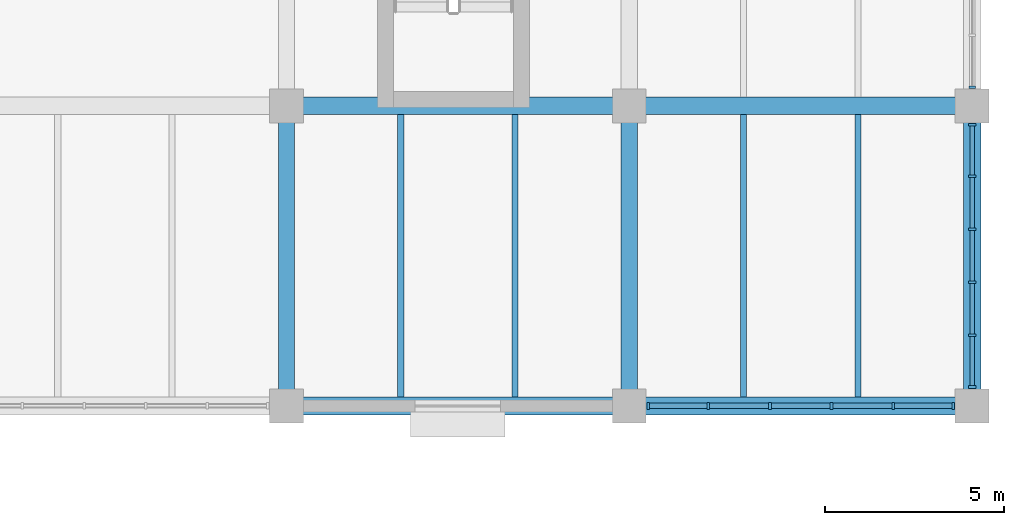
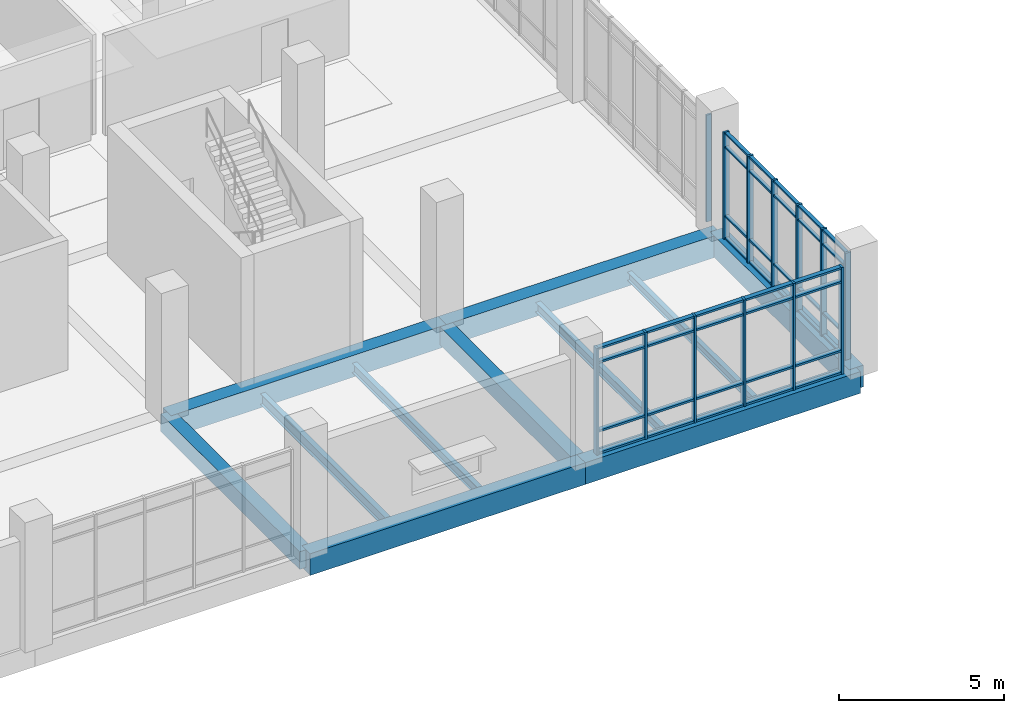
# One storey, part 75 of 152: 53 members, 11 beams, 3 elements without a shape of their own.
"""IFC4 building model written with IfcOpenShell, lengths in metres."""

from ifc_helpers import new_model, si_unit, direction, frame, origin, origin_2d, place, context, subcontext, project, spatial, rectangle, i_section, extrude, material, material_profile, profile_set, type_object, element, aggregate, save


model = new_model("IFC4")

# Units and contexts
model_context = context("Model", 3, precision=1e-05, world=origin(), true_north=direction((0.0, 1.0)))
body_context = subcontext(model_context, "Body", "Model", "MODEL_VIEW")
ifc_project = project(units=[si_unit("LENGTHUNIT", "METRE"), si_unit("AREAUNIT", "SQUARE_METRE"), si_unit("VOLUMEUNIT", "CUBIC_METRE"), si_unit("PLANEANGLEUNIT", "RADIAN"), si_unit("MASSUNIT", "GRAM", prefix="KILO")], contexts=[model_context])

# Site, building, storey
site_placement = place(None, origin())
site = spatial("IfcSite", under=ifc_project, at=site_placement, CompositionType="ELEMENT")
building_placement = place(site_placement, origin())
building = spatial("IfcBuilding", under=site, at=building_placement, Name="Oolite Switchyard Hospital", CompositionType="ELEMENT")
storey_placement = place(building_placement, frame((0.0, 0.0, 5.10009765625)))
storey = spatial("IfcBuildingStorey", under=building, at=storey_placement, Name="L01", CompositionType="ELEMENT", Elevation=5.10009765625)

# Beams
ifc_material_1 = material(Name="Concrete C40/50", Category="concrete")
ifc_material_profile_1 = material_profile(ifc_material_1, rectangle(XDim=0.449951171875, YDim=0.64990234375, at=origin_2d()), Name="RCB450X650")
ifc_profile_set_1 = profile_set([ifc_material_profile_1], Name="Concrete C40/50")
beam_type_1 = type_object("IfcBeamType", Name="BM-RC450X650", PredefinedType="BEAM", material=ifc_profile_set_1)
for number, where, z_axis, x_axis, name in (
    (1, (192.0, 100.800048828125, -0.3251953125), (0.0, 1.0, 0.0), (-1.0, 0.0, 0.0), "L01 Y-Girder 531"),
    (2, (201.60009765625, 100.800048828125, -0.3251953125), (0.0, 1.0, 0.0), (-1.0, 0.0, 0.0), "L01 Y-Girder 543"),
):
    element("IfcBeam", number, at=place(storey_placement, frame(where, z_axis=z_axis, x_axis=x_axis)), inside=storey, type_object=beam_type_1, Name=name, PredefinedType="BEAM", context=body_context, shape_type="SweptSolid", body=[
        extrude(rectangle(XDim=0.449951171875, YDim=0.64990234375, at=origin_2d()), origin(), (0.0, 0.0, 1.0), 8.39990234375),
    ])
ifc_material_profile_2 = material_profile(ifc_material_1, rectangle(XDim=0.5, YDim=0.800048828125, at=origin_2d()), Name="RCB500X800")
ifc_profile_set_2 = profile_set([ifc_material_profile_2], Name="Concrete C40/50")
beam_type_2 = type_object("IfcBeamType", Name="BM-RC500X800", PredefinedType="BEAM", material=ifc_profile_set_2)
beam_1_placement = place(storey_placement, frame((192.0, 100.800048828125, -0.400146484375), z_axis=(1.0, 0.0, 0.0), x_axis=(0.0, 1.0, 0.0)))
element("IfcBeam", 3, at=beam_1_placement, inside=storey, type_object=beam_type_2, Name="L01 X-Girder 217", PredefinedType="BEAM", context=body_context, shape_type="SweptSolid", body=[
    extrude(rectangle(XDim=0.5, YDim=0.800048828125, at=origin_2d()), origin(), (0.0, 0.0, 1.0), 9.60009765625),
])
beam_2_placement = place(storey_placement, frame((201.60009765625, 100.800048828125, -0.400146484375), z_axis=(1.0, 0.0, 0.0), x_axis=(0.0, 1.0, 0.0)))
element("IfcBeam", 4, at=beam_2_placement, inside=storey, type_object=beam_type_2, Name="L01 X-Girder 218", PredefinedType="BEAM", context=body_context, shape_type="SweptSolid", body=[
    extrude(rectangle(XDim=0.5, YDim=0.800048828125, at=origin_2d()), origin(), (0.0, 0.0, 1.0), 9.599853515625),
])
beam_3_placement = place(storey_placement, frame((192.0, 109.199951171875, -0.400146484375), z_axis=(1.0, 0.0, 0.0), x_axis=(0.0, 1.0, 0.0)))
element("IfcBeam", 5, at=beam_3_placement, inside=storey, type_object=beam_type_2, Name="L01 X-Girder 237", PredefinedType="BEAM", context=body_context, shape_type="SweptSolid", body=[
    extrude(rectangle(XDim=0.5, YDim=0.800048828125, at=origin_2d()), origin(), (0.0, 0.0, 1.0), 9.60009765625),
])
beam_4_placement = place(storey_placement, frame((201.60009765625, 109.199951171875, -0.400146484375), z_axis=(1.0, 0.0, 0.0), x_axis=(0.0, 1.0, 0.0)))
element("IfcBeam", 6, at=beam_4_placement, inside=storey, type_object=beam_type_2, Name="L01 X-Girder 238", PredefinedType="BEAM", context=body_context, shape_type="SweptSolid", body=[
    extrude(rectangle(XDim=0.5, YDim=0.800048828125, at=origin_2d()), origin(), (0.0, 0.0, 1.0), 9.599853515625),
])
beam_5_placement = place(storey_placement, frame((211.199951171875, 100.800048828125, -0.400146484375), z_axis=(0.0, 1.0, 0.0), x_axis=(-1.0, 0.0, 0.0)))
element("IfcBeam", 7, at=beam_5_placement, inside=storey, type_object=beam_type_2, Name="L01 Y-Girder 559", PredefinedType="BEAM", context=body_context, shape_type="SweptSolid", body=[
    extrude(rectangle(XDim=0.5, YDim=0.800048828125, at=origin_2d()), origin(), (0.0, 0.0, 1.0), 8.39990234375),
])
ifc_material_2 = material(Name="Steel ASTM A992 Grade 50", Category="steel")
ifc_material_profile_3 = material_profile(ifc_material_2, i_section(OverallWidth=0.1650390625, OverallDepth=0.31005859375, WebThickness=0.006103515625, FlangeThickness=0.010009765625, at=origin_2d()), Name="W12X26")
ifc_profile_set_3 = profile_set([ifc_material_profile_3], Name="Steel ASTM A992 Grade 50")
beam_type_3 = type_object("IfcBeamType", Name="BM-W12X26", PredefinedType="JOIST", material=ifc_profile_set_3)
beam_6_placement = place(storey_placement, frame((208.0, 101.050048828125, -0.43017578125), z_axis=(0.0, 1.0, 0.0), x_axis=(-1.0, 0.0, 0.0)))
element("IfcBeam", 8, at=beam_6_placement, inside=storey, type_object=beam_type_3, Name="L01 Secondary Steel Joist 983", PredefinedType="JOIST", context=body_context, shape_type="SweptSolid", body=[
    extrude(i_section(OverallWidth=0.1650390625, OverallDepth=0.31005859375, WebThickness=0.006103515625, FlangeThickness=0.010009765625, at=origin_2d()), origin(), (0.0, 0.0, 1.0), 7.89990234375),
])
ifc_material_profile_4 = material_profile(ifc_material_2, i_section(OverallWidth=0.1708984375, OverallDepth=0.35107421875, WebThickness=0.007080078125, FlangeThickness=0.010009765625, at=origin_2d()), Name="W14X30")
ifc_profile_set_4 = profile_set([ifc_material_profile_4], Name="Steel ASTM A992 Grade 50")
beam_type_4 = type_object("IfcBeamType", Name="BM-W14X30", PredefinedType="JOIST", material=ifc_profile_set_4)
for number, where, z_axis, x_axis, name in (
    (9, (198.39990234375, 101.050048828125, -0.4501953125), (0.0, 1.0, 0.0), (-1.0, 0.0, 0.0), "L01 Secondary Steel Joist 967"),
    (10, (204.800048828125, 101.050048828125, -0.4501953125), (0.0, 1.0, 0.0), (-1.0, 0.0, 0.0), "L01 Secondary Steel Joist 982"),
):
    element("IfcBeam", number, at=place(storey_placement, frame(where, z_axis=z_axis, x_axis=x_axis)), inside=storey, type_object=beam_type_4, Name=name, PredefinedType="JOIST", context=body_context, shape_type="SweptSolid", body=[
        extrude(i_section(OverallWidth=0.1708984375, OverallDepth=0.35107421875, WebThickness=0.007080078125, FlangeThickness=0.010009765625, at=origin_2d()), origin(), (0.0, 0.0, 1.0), 7.89990234375),
    ])
ifc_material_profile_5 = material_profile(ifc_material_2, i_section(OverallWidth=0.177978515625, OverallDepth=0.403076171875, WebThickness=0.008056640625, FlangeThickness=0.010986328125, at=origin_2d()), Name="W16X36")
ifc_profile_set_5 = profile_set([ifc_material_profile_5], Name="Steel ASTM A992 Grade 50")
beam_type_5 = type_object("IfcBeamType", Name="BM-W16X36", PredefinedType="JOIST", material=ifc_profile_set_5)
beam_7_placement = place(storey_placement, frame((195.199951171875, 101.050048828125, -0.47705078125), z_axis=(0.0, 1.0, 0.0), x_axis=(-1.0, 0.0, 0.0)))
element("IfcBeam", 11, at=beam_7_placement, inside=storey, type_object=beam_type_5, Name="L01 Secondary Steel Joist 966", PredefinedType="JOIST", context=body_context, shape_type="SweptSolid", body=[
    extrude(i_section(OverallWidth=0.177978515625, OverallDepth=0.403076171875, WebThickness=0.008056640625, FlangeThickness=0.010986328125, at=origin_2d()), origin(), (0.0, 0.0, 1.0), 7.89990234375),
])

# Curtain wall, member
ifc_material_3 = material(Name="Thermally broken aluminum frame with laminated impact glazing", Category="aluminium")
curtain_wall_type_1 = type_object("IfcCurtainWallType", Name="CW-UNIT-84X48", PredefinedType="USERDEFINED", material=ifc_material_3)
curtain_wall_1_placement = place(storey_placement, origin())
curtain_wall_1 = element("IfcCurtainWall", 12, at=curtain_wall_1_placement, inside=storey, type_object=curtain_wall_type_1, Name="L01 Unitised Curtain Wall 207", ObjectType="UNITISED", PredefinedType="USERDEFINED")
ifc_material_4 = material(Name="Aluminium 6063-T6", Category="aluminium")
ifc_material_profile_6 = material_profile(ifc_material_4, rectangle(XDim=0.179931640625, YDim=0.070068359375, at=origin_2d()), Name="CWM70X180")
ifc_profile_set_6 = profile_set([ifc_material_profile_6], Name="Aluminium 6063-T6")
member_type_1 = type_object("IfcMemberType", Name="CW-MUL-220", PredefinedType="MULLION", material=ifc_profile_set_6)
member_1_placement = place(storey_placement, frame((211.199951171875, 109.72509765625, 0.0), z_axis=(0.0, 0.0, 1.0), x_axis=(1.0, 0.0, 0.0)))
member_1 = element("IfcMember", 13, at=member_1_placement, type_object=member_type_1, Name="CW-07 mullion 6", PredefinedType="MULLION", context=body_context, shape_type="SweptSolid", body=[
    extrude(rectangle(XDim=0.179931640625, YDim=0.070068359375, at=origin_2d()), origin(), (0.0, 0.0, 1.0), 3.93994140625),
])
aggregate(curtain_wall_1, [member_1])

# Curtain wall, members
curtain_wall_type_2 = type_object("IfcCurtainWallType", Name="CW-UNIT-96X48", PredefinedType="USERDEFINED", material=ifc_material_3)
curtain_wall_2_placement = place(storey_placement, origin())
curtain_wall_2 = element("IfcCurtainWall", 14, at=curtain_wall_2_placement, inside=storey, type_object=curtain_wall_type_2, Name="L01 Unitised Curtain Wall 145", ObjectType="UNITISED", PredefinedType="USERDEFINED")
ifc_material_profile_7 = material_profile(ifc_material_4, rectangle(XDim=0.199951171875, YDim=0.074951171875, at=origin_2d()), Name="CWM75X200")
ifc_profile_set_7 = profile_set([ifc_material_profile_7], Name="Aluminium 6063-T6")
member_type_2 = type_object("IfcMemberType", Name="CW-MUL-260", PredefinedType="MULLION", material=ifc_profile_set_7)
member_2_placement = place(storey_placement, frame((210.672607421875, 100.800048828125, 0.0), z_axis=(0.0, 0.0, 1.0), x_axis=(0.0, -1.0, 0.0)))
member_2 = element("IfcMember", 15, at=member_2_placement, type_object=member_type_2, Name="CW-02 mullion 1", PredefinedType="MULLION", context=body_context, shape_type="SweptSolid", body=[
    extrude(rectangle(XDim=0.199951171875, YDim=0.074951171875, at=origin_2d()), origin(), (0.0, 0.0, 1.0), 3.93994140625),
])
member_3_placement = place(storey_placement, frame((208.986083984375, 100.800048828125, 0.0), z_axis=(0.0, 0.0, 1.0), x_axis=(0.0, -1.0, 0.0)))
member_3 = element("IfcMember", 16, at=member_3_placement, type_object=member_type_2, Name="CW-02 mullion 2", PredefinedType="MULLION", context=body_context, shape_type="SweptSolid", body=[
    extrude(rectangle(XDim=0.199951171875, YDim=0.074951171875, at=origin_2d()), origin(), (0.0, 0.0, 1.0), 3.93994140625),
])
member_4_placement = place(storey_placement, frame((207.261962890625, 100.800048828125, 0.0), z_axis=(0.0, 0.0, 1.0), x_axis=(0.0, -1.0, 0.0)))
member_4 = element("IfcMember", 17, at=member_4_placement, type_object=member_type_2, Name="CW-02 mullion 3", PredefinedType="MULLION", context=body_context, shape_type="SweptSolid", body=[
    extrude(rectangle(XDim=0.199951171875, YDim=0.074951171875, at=origin_2d()), origin(), (0.0, 0.0, 1.0), 3.93994140625),
])
member_5_placement = place(storey_placement, frame((205.5380859375, 100.800048828125, 0.0), z_axis=(0.0, 0.0, 1.0), x_axis=(0.0, -1.0, 0.0)))
member_5 = element("IfcMember", 18, at=member_5_placement, type_object=member_type_2, Name="CW-02 mullion 4", PredefinedType="MULLION", context=body_context, shape_type="SweptSolid", body=[
    extrude(rectangle(XDim=0.199951171875, YDim=0.074951171875, at=origin_2d()), origin(), (0.0, 0.0, 1.0), 3.93994140625),
])
member_6_placement = place(storey_placement, frame((203.81396484375, 100.800048828125, 0.0), z_axis=(0.0, 0.0, 1.0), x_axis=(0.0, -1.0, 0.0)))
member_6 = element("IfcMember", 19, at=member_6_placement, type_object=member_type_2, Name="CW-02 mullion 5", PredefinedType="MULLION", context=body_context, shape_type="SweptSolid", body=[
    extrude(rectangle(XDim=0.199951171875, YDim=0.074951171875, at=origin_2d()), origin(), (0.0, 0.0, 1.0), 3.93994140625),
])
member_7_placement = place(storey_placement, frame((202.12744140625, 100.800048828125, 0.0), z_axis=(0.0, 0.0, 1.0), x_axis=(0.0, -1.0, 0.0)))
member_7 = element("IfcMember", 20, at=member_7_placement, type_object=member_type_2, Name="CW-02 mullion 6", PredefinedType="MULLION", context=body_context, shape_type="SweptSolid", body=[
    extrude(rectangle(XDim=0.199951171875, YDim=0.074951171875, at=origin_2d()), origin(), (0.0, 0.0, 1.0), 3.93994140625),
])

curtain_wall_3_placement = place(storey_placement, origin())
curtain_wall_3 = element("IfcCurtainWall", 21, at=curtain_wall_3_placement, inside=storey, type_object=curtain_wall_type_1, Name="L01 Unitised Curtain Wall 208", ObjectType="UNITISED", PredefinedType="USERDEFINED")
member_8_placement = place(storey_placement, frame((211.199951171875, 108.672607421875, 0.0), z_axis=(0.0, 0.0, 1.0), x_axis=(1.0, 0.0, 0.0)))
member_8 = element("IfcMember", 22, at=member_8_placement, type_object=member_type_2, Name="CW-07 mullion 1", PredefinedType="MULLION", context=body_context, shape_type="SweptSolid", body=[
    extrude(rectangle(XDim=0.199951171875, YDim=0.074951171875, at=origin_2d()), origin(), (0.0, 0.0, 1.0), 3.93994140625),
])
member_9_placement = place(storey_placement, frame((211.199951171875, 107.22607421875, 0.0), z_axis=(0.0, 0.0, 1.0), x_axis=(1.0, 0.0, 0.0)))
member_9 = element("IfcMember", 23, at=member_9_placement, type_object=member_type_2, Name="CW-07 mullion 2", PredefinedType="MULLION", context=body_context, shape_type="SweptSolid", body=[
    extrude(rectangle(XDim=0.199951171875, YDim=0.074951171875, at=origin_2d()), origin(), (0.0, 0.0, 1.0), 3.93994140625),
])
member_10_placement = place(storey_placement, frame((211.199951171875, 105.741943359375, 0.0), z_axis=(0.0, 0.0, 1.0), x_axis=(1.0, 0.0, 0.0)))
member_10 = element("IfcMember", 24, at=member_10_placement, type_object=member_type_2, Name="CW-07 mullion 3", PredefinedType="MULLION", context=body_context, shape_type="SweptSolid", body=[
    extrude(rectangle(XDim=0.199951171875, YDim=0.074951171875, at=origin_2d()), origin(), (0.0, 0.0, 1.0), 3.93994140625),
])
member_11_placement = place(storey_placement, frame((211.199951171875, 104.258056640625, 0.0), z_axis=(0.0, 0.0, 1.0), x_axis=(1.0, 0.0, 0.0)))
member_11 = element("IfcMember", 25, at=member_11_placement, type_object=member_type_2, Name="CW-07 mullion 4", PredefinedType="MULLION", context=body_context, shape_type="SweptSolid", body=[
    extrude(rectangle(XDim=0.199951171875, YDim=0.074951171875, at=origin_2d()), origin(), (0.0, 0.0, 1.0), 3.93994140625),
])
member_12_placement = place(storey_placement, frame((211.199951171875, 102.77392578125, 0.0), z_axis=(0.0, 0.0, 1.0), x_axis=(1.0, 0.0, 0.0)))
member_12 = element("IfcMember", 26, at=member_12_placement, type_object=member_type_2, Name="CW-07 mullion 5", PredefinedType="MULLION", context=body_context, shape_type="SweptSolid", body=[
    extrude(rectangle(XDim=0.199951171875, YDim=0.074951171875, at=origin_2d()), origin(), (0.0, 0.0, 1.0), 3.93994140625),
])
member_13_placement = place(storey_placement, frame((211.199951171875, 101.327392578125, 0.0), z_axis=(0.0, 0.0, 1.0), x_axis=(1.0, 0.0, 0.0)))
member_13 = element("IfcMember", 27, at=member_13_placement, type_object=member_type_2, Name="CW-07 mullion 6", PredefinedType="MULLION", context=body_context, shape_type="SweptSolid", body=[
    extrude(rectangle(XDim=0.199951171875, YDim=0.074951171875, at=origin_2d()), origin(), (0.0, 0.0, 1.0), 3.93994140625),
])
ifc_material_profile_8 = material_profile(ifc_material_4, rectangle(XDim=0.1201171875, YDim=0.06005859375, at=origin_2d()), Name="CWT60X120")
ifc_profile_set_8 = profile_set([ifc_material_profile_8], Name="Aluminium 6063-T6")
member_type_3 = type_object("IfcMemberType", Name="CW-TRN-150", PredefinedType="USERDEFINED", material=ifc_profile_set_8)
member_14_placement = place(storey_placement, frame((211.199951171875, 108.635009765625, 0.02978515625), z_axis=(0.0, -1.0, 0.0), x_axis=(1.0, 0.0, 0.0)))
member_14 = element("IfcMember", 28, at=member_14_placement, type_object=member_type_3, Name="CW-07 transom 1.1", ObjectType="TRANSOM", PredefinedType="USERDEFINED", context=body_context, shape_type="SweptSolid", body=[
    extrude(rectangle(XDim=0.1201171875, YDim=0.06005859375, at=origin_2d()), origin(), (0.0, 0.0, 1.0), 1.37158203125),
])
member_15_placement = place(storey_placement, frame((211.199951171875, 108.635009765625, 0.849853515625), z_axis=(0.0, -1.0, 0.0), x_axis=(1.0, 0.0, 0.0)))
member_15 = element("IfcMember", 29, at=member_15_placement, type_object=member_type_3, Name="CW-07 transom 1.2", ObjectType="TRANSOM", PredefinedType="USERDEFINED", context=body_context, shape_type="SweptSolid", body=[
    extrude(rectangle(XDim=0.1201171875, YDim=0.06005859375, at=origin_2d()), origin(), (0.0, 0.0, 1.0), 1.37158203125),
])
member_16_placement = place(storey_placement, frame((211.199951171875, 108.635009765625, 3.389892578125), z_axis=(0.0, -1.0, 0.0), x_axis=(1.0, 0.0, 0.0)))
member_16 = element("IfcMember", 30, at=member_16_placement, type_object=member_type_3, Name="CW-07 transom 1.3", ObjectType="TRANSOM", PredefinedType="USERDEFINED", context=body_context, shape_type="SweptSolid", body=[
    extrude(rectangle(XDim=0.1201171875, YDim=0.06005859375, at=origin_2d()), origin(), (0.0, 0.0, 1.0), 1.37158203125),
])
member_17_placement = place(storey_placement, frame((211.199951171875, 108.635009765625, 3.909912109375), z_axis=(0.0, -1.0, 0.0), x_axis=(1.0, 0.0, 0.0)))
member_17 = element("IfcMember", 31, at=member_17_placement, type_object=member_type_3, Name="CW-07 transom 1.4", ObjectType="TRANSOM", PredefinedType="USERDEFINED", context=body_context, shape_type="SweptSolid", body=[
    extrude(rectangle(XDim=0.1201171875, YDim=0.06005859375, at=origin_2d()), origin(), (0.0, 0.0, 1.0), 1.37158203125),
])
member_18_placement = place(storey_placement, frame((211.199951171875, 107.1884765625, 0.02978515625), z_axis=(0.0, -1.0, 0.0), x_axis=(1.0, 0.0, 0.0)))
member_18 = element("IfcMember", 32, at=member_18_placement, type_object=member_type_3, Name="CW-07 transom 2.1", ObjectType="TRANSOM", PredefinedType="USERDEFINED", context=body_context, shape_type="SweptSolid", body=[
    extrude(rectangle(XDim=0.1201171875, YDim=0.06005859375, at=origin_2d()), origin(), (0.0, 0.0, 1.0), 1.408935546875),
])
member_19_placement = place(storey_placement, frame((211.199951171875, 107.1884765625, 0.849853515625), z_axis=(0.0, -1.0, 0.0), x_axis=(1.0, 0.0, 0.0)))
member_19 = element("IfcMember", 33, at=member_19_placement, type_object=member_type_3, Name="CW-07 transom 2.2", ObjectType="TRANSOM", PredefinedType="USERDEFINED", context=body_context, shape_type="SweptSolid", body=[
    extrude(rectangle(XDim=0.1201171875, YDim=0.06005859375, at=origin_2d()), origin(), (0.0, 0.0, 1.0), 1.408935546875),
])
member_20_placement = place(storey_placement, frame((211.199951171875, 107.1884765625, 3.389892578125), z_axis=(0.0, -1.0, 0.0), x_axis=(1.0, 0.0, 0.0)))
member_20 = element("IfcMember", 34, at=member_20_placement, type_object=member_type_3, Name="CW-07 transom 2.3", ObjectType="TRANSOM", PredefinedType="USERDEFINED", context=body_context, shape_type="SweptSolid", body=[
    extrude(rectangle(XDim=0.1201171875, YDim=0.06005859375, at=origin_2d()), origin(), (0.0, 0.0, 1.0), 1.408935546875),
])
member_21_placement = place(storey_placement, frame((211.199951171875, 107.1884765625, 3.909912109375), z_axis=(0.0, -1.0, 0.0), x_axis=(1.0, 0.0, 0.0)))
member_21 = element("IfcMember", 35, at=member_21_placement, type_object=member_type_3, Name="CW-07 transom 2.4", ObjectType="TRANSOM", PredefinedType="USERDEFINED", context=body_context, shape_type="SweptSolid", body=[
    extrude(rectangle(XDim=0.1201171875, YDim=0.06005859375, at=origin_2d()), origin(), (0.0, 0.0, 1.0), 1.408935546875),
])
member_22_placement = place(storey_placement, frame((211.199951171875, 105.70458984375, 0.02978515625), z_axis=(0.0, -1.0, 0.0), x_axis=(1.0, 0.0, 0.0)))
member_22 = element("IfcMember", 36, at=member_22_placement, type_object=member_type_3, Name="CW-07 transom 3.1", ObjectType="TRANSOM", PredefinedType="USERDEFINED", context=body_context, shape_type="SweptSolid", body=[
    extrude(rectangle(XDim=0.1201171875, YDim=0.06005859375, at=origin_2d()), origin(), (0.0, 0.0, 1.0), 1.4091796875),
])
member_23_placement = place(storey_placement, frame((211.199951171875, 105.70458984375, 0.849853515625), z_axis=(0.0, -1.0, 0.0), x_axis=(1.0, 0.0, 0.0)))
member_23 = element("IfcMember", 37, at=member_23_placement, type_object=member_type_3, Name="CW-07 transom 3.2", ObjectType="TRANSOM", PredefinedType="USERDEFINED", context=body_context, shape_type="SweptSolid", body=[
    extrude(rectangle(XDim=0.1201171875, YDim=0.06005859375, at=origin_2d()), origin(), (0.0, 0.0, 1.0), 1.4091796875),
])
member_24_placement = place(storey_placement, frame((211.199951171875, 105.70458984375, 3.389892578125), z_axis=(0.0, -1.0, 0.0), x_axis=(1.0, 0.0, 0.0)))
member_24 = element("IfcMember", 38, at=member_24_placement, type_object=member_type_3, Name="CW-07 transom 3.3", ObjectType="TRANSOM", PredefinedType="USERDEFINED", context=body_context, shape_type="SweptSolid", body=[
    extrude(rectangle(XDim=0.1201171875, YDim=0.06005859375, at=origin_2d()), origin(), (0.0, 0.0, 1.0), 1.4091796875),
])
member_25_placement = place(storey_placement, frame((211.199951171875, 105.70458984375, 3.909912109375), z_axis=(0.0, -1.0, 0.0), x_axis=(1.0, 0.0, 0.0)))
member_25 = element("IfcMember", 39, at=member_25_placement, type_object=member_type_3, Name="CW-07 transom 3.4", ObjectType="TRANSOM", PredefinedType="USERDEFINED", context=body_context, shape_type="SweptSolid", body=[
    extrude(rectangle(XDim=0.1201171875, YDim=0.06005859375, at=origin_2d()), origin(), (0.0, 0.0, 1.0), 1.4091796875),
])
member_26_placement = place(storey_placement, frame((211.199951171875, 104.220458984375, 0.02978515625), z_axis=(0.0, -1.0, 0.0), x_axis=(1.0, 0.0, 0.0)))
member_26 = element("IfcMember", 40, at=member_26_placement, type_object=member_type_3, Name="CW-07 transom 4.1", ObjectType="TRANSOM", PredefinedType="USERDEFINED", context=body_context, shape_type="SweptSolid", body=[
    extrude(rectangle(XDim=0.1201171875, YDim=0.06005859375, at=origin_2d()), origin(), (0.0, 0.0, 1.0), 1.408935546875),
])
member_27_placement = place(storey_placement, frame((211.199951171875, 104.220458984375, 0.849853515625), z_axis=(0.0, -1.0, 0.0), x_axis=(1.0, 0.0, 0.0)))
member_27 = element("IfcMember", 41, at=member_27_placement, type_object=member_type_3, Name="CW-07 transom 4.2", ObjectType="TRANSOM", PredefinedType="USERDEFINED", context=body_context, shape_type="SweptSolid", body=[
    extrude(rectangle(XDim=0.1201171875, YDim=0.06005859375, at=origin_2d()), origin(), (0.0, 0.0, 1.0), 1.408935546875),
])
member_28_placement = place(storey_placement, frame((211.199951171875, 104.220458984375, 3.389892578125), z_axis=(0.0, -1.0, 0.0), x_axis=(1.0, 0.0, 0.0)))
member_28 = element("IfcMember", 42, at=member_28_placement, type_object=member_type_3, Name="CW-07 transom 4.3", ObjectType="TRANSOM", PredefinedType="USERDEFINED", context=body_context, shape_type="SweptSolid", body=[
    extrude(rectangle(XDim=0.1201171875, YDim=0.06005859375, at=origin_2d()), origin(), (0.0, 0.0, 1.0), 1.408935546875),
])
member_29_placement = place(storey_placement, frame((211.199951171875, 104.220458984375, 3.909912109375), z_axis=(0.0, -1.0, 0.0), x_axis=(1.0, 0.0, 0.0)))
member_29 = element("IfcMember", 43, at=member_29_placement, type_object=member_type_3, Name="CW-07 transom 4.4", ObjectType="TRANSOM", PredefinedType="USERDEFINED", context=body_context, shape_type="SweptSolid", body=[
    extrude(rectangle(XDim=0.1201171875, YDim=0.06005859375, at=origin_2d()), origin(), (0.0, 0.0, 1.0), 1.408935546875),
])
member_30_placement = place(storey_placement, frame((211.199951171875, 102.736572265625, 0.02978515625), z_axis=(0.0, -1.0, 0.0), x_axis=(1.0, 0.0, 0.0)))
member_30 = element("IfcMember", 44, at=member_30_placement, type_object=member_type_3, Name="CW-07 transom 5.1", ObjectType="TRANSOM", PredefinedType="USERDEFINED", context=body_context, shape_type="SweptSolid", body=[
    extrude(rectangle(XDim=0.1201171875, YDim=0.06005859375, at=origin_2d()), origin(), (0.0, 0.0, 1.0), 1.37158203125),
])
member_31_placement = place(storey_placement, frame((211.199951171875, 102.736572265625, 0.849853515625), z_axis=(0.0, -1.0, 0.0), x_axis=(1.0, 0.0, 0.0)))
member_31 = element("IfcMember", 45, at=member_31_placement, type_object=member_type_3, Name="CW-07 transom 5.2", ObjectType="TRANSOM", PredefinedType="USERDEFINED", context=body_context, shape_type="SweptSolid", body=[
    extrude(rectangle(XDim=0.1201171875, YDim=0.06005859375, at=origin_2d()), origin(), (0.0, 0.0, 1.0), 1.37158203125),
])
member_32_placement = place(storey_placement, frame((211.199951171875, 102.736572265625, 3.389892578125), z_axis=(0.0, -1.0, 0.0), x_axis=(1.0, 0.0, 0.0)))
member_32 = element("IfcMember", 46, at=member_32_placement, type_object=member_type_3, Name="CW-07 transom 5.3", ObjectType="TRANSOM", PredefinedType="USERDEFINED", context=body_context, shape_type="SweptSolid", body=[
    extrude(rectangle(XDim=0.1201171875, YDim=0.06005859375, at=origin_2d()), origin(), (0.0, 0.0, 1.0), 1.37158203125),
])
member_33_placement = place(storey_placement, frame((211.199951171875, 102.736572265625, 3.909912109375), z_axis=(0.0, -1.0, 0.0), x_axis=(1.0, 0.0, 0.0)))
member_33 = element("IfcMember", 47, at=member_33_placement, type_object=member_type_3, Name="CW-07 transom 5.4", ObjectType="TRANSOM", PredefinedType="USERDEFINED", context=body_context, shape_type="SweptSolid", body=[
    extrude(rectangle(XDim=0.1201171875, YDim=0.06005859375, at=origin_2d()), origin(), (0.0, 0.0, 1.0), 1.37158203125),
])
aggregate(curtain_wall_3, [member_8, member_9, member_10, member_11, member_12, member_13, member_14, member_15, member_16, member_17, member_18, member_19, member_20, member_21, member_22, member_23, member_24, member_25, member_26, member_27, member_28, member_29, member_30, member_31, member_32, member_33])

# Member
ifc_material_profile_9 = material_profile(ifc_material_4, rectangle(XDim=0.159912109375, YDim=0.074951171875, at=origin_2d()), Name="CWT75X160")
ifc_profile_set_9 = profile_set([ifc_material_profile_9], Name="Aluminium 6063-T6")
member_type_4 = type_object("IfcMemberType", Name="CW-TRN-180", PredefinedType="USERDEFINED", material=ifc_profile_set_9)
member_34_placement = place(storey_placement, frame((210.635009765625, 100.800048828125, 0.037353515625), z_axis=(-1.0, 0.0, 0.0), x_axis=(0.0, -1.0, 0.0)))
member_34 = element("IfcMember", 48, at=member_34_placement, type_object=member_type_4, Name="CW-02 transom 1.1", ObjectType="TRANSOM", PredefinedType="USERDEFINED", context=body_context, shape_type="SweptSolid", body=[
    extrude(rectangle(XDim=0.159912109375, YDim=0.074951171875, at=origin_2d()), origin(), (0.0, 0.0, 1.0), 1.611572265625),
])

member_35_placement = place(storey_placement, frame((210.635009765625, 100.800048828125, 0.849853515625), z_axis=(-1.0, 0.0, 0.0), x_axis=(0.0, -1.0, 0.0)))
member_35 = element("IfcMember", 49, at=member_35_placement, type_object=member_type_4, Name="CW-02 transom 1.2", ObjectType="TRANSOM", PredefinedType="USERDEFINED", context=body_context, shape_type="SweptSolid", body=[
    extrude(rectangle(XDim=0.159912109375, YDim=0.074951171875, at=origin_2d()), origin(), (0.0, 0.0, 1.0), 1.611572265625),
])

member_36_placement = place(storey_placement, frame((210.635009765625, 100.800048828125, 3.389892578125), z_axis=(-1.0, 0.0, 0.0), x_axis=(0.0, -1.0, 0.0)))
member_36 = element("IfcMember", 50, at=member_36_placement, type_object=member_type_4, Name="CW-02 transom 1.3", ObjectType="TRANSOM", PredefinedType="USERDEFINED", context=body_context, shape_type="SweptSolid", body=[
    extrude(rectangle(XDim=0.159912109375, YDim=0.074951171875, at=origin_2d()), origin(), (0.0, 0.0, 1.0), 1.611572265625),
])

member_37_placement = place(storey_placement, frame((210.635009765625, 100.800048828125, 3.90234375), z_axis=(-1.0, 0.0, 0.0), x_axis=(0.0, -1.0, 0.0)))
member_37 = element("IfcMember", 51, at=member_37_placement, type_object=member_type_4, Name="CW-02 transom 1.4", ObjectType="TRANSOM", PredefinedType="USERDEFINED", context=body_context, shape_type="SweptSolid", body=[
    extrude(rectangle(XDim=0.159912109375, YDim=0.074951171875, at=origin_2d()), origin(), (0.0, 0.0, 1.0), 1.611572265625),
])

member_38_placement = place(storey_placement, frame((208.948486328125, 100.800048828125, 0.037353515625), z_axis=(-1.0, 0.0, 0.0), x_axis=(0.0, -1.0, 0.0)))
member_38 = element("IfcMember", 52, at=member_38_placement, type_object=member_type_4, Name="CW-02 transom 2.1", ObjectType="TRANSOM", PredefinedType="USERDEFINED", context=body_context, shape_type="SweptSolid", body=[
    extrude(rectangle(XDim=0.159912109375, YDim=0.074951171875, at=origin_2d()), origin(), (0.0, 0.0, 1.0), 1.64892578125),
])

member_39_placement = place(storey_placement, frame((208.948486328125, 100.800048828125, 0.849853515625), z_axis=(-1.0, 0.0, 0.0), x_axis=(0.0, -1.0, 0.0)))
member_39 = element("IfcMember", 53, at=member_39_placement, type_object=member_type_4, Name="CW-02 transom 2.2", ObjectType="TRANSOM", PredefinedType="USERDEFINED", context=body_context, shape_type="SweptSolid", body=[
    extrude(rectangle(XDim=0.159912109375, YDim=0.074951171875, at=origin_2d()), origin(), (0.0, 0.0, 1.0), 1.64892578125),
])

member_40_placement = place(storey_placement, frame((208.948486328125, 100.800048828125, 3.389892578125), z_axis=(-1.0, 0.0, 0.0), x_axis=(0.0, -1.0, 0.0)))
member_40 = element("IfcMember", 54, at=member_40_placement, type_object=member_type_4, Name="CW-02 transom 2.3", ObjectType="TRANSOM", PredefinedType="USERDEFINED", context=body_context, shape_type="SweptSolid", body=[
    extrude(rectangle(XDim=0.159912109375, YDim=0.074951171875, at=origin_2d()), origin(), (0.0, 0.0, 1.0), 1.64892578125),
])

member_41_placement = place(storey_placement, frame((208.948486328125, 100.800048828125, 3.90234375), z_axis=(-1.0, 0.0, 0.0), x_axis=(0.0, -1.0, 0.0)))
member_41 = element("IfcMember", 55, at=member_41_placement, type_object=member_type_4, Name="CW-02 transom 2.4", ObjectType="TRANSOM", PredefinedType="USERDEFINED", context=body_context, shape_type="SweptSolid", body=[
    extrude(rectangle(XDim=0.159912109375, YDim=0.074951171875, at=origin_2d()), origin(), (0.0, 0.0, 1.0), 1.64892578125),
])

member_42_placement = place(storey_placement, frame((207.224609375, 100.800048828125, 0.037353515625), z_axis=(-1.0, 0.0, 0.0), x_axis=(0.0, -1.0, 0.0)))
member_42 = element("IfcMember", 56, at=member_42_placement, type_object=member_type_4, Name="CW-02 transom 3.1", ObjectType="TRANSOM", PredefinedType="USERDEFINED", context=body_context, shape_type="SweptSolid", body=[
    extrude(rectangle(XDim=0.159912109375, YDim=0.074951171875, at=origin_2d()), origin(), (0.0, 0.0, 1.0), 1.649169921875),
])

member_43_placement = place(storey_placement, frame((207.224609375, 100.800048828125, 0.849853515625), z_axis=(-1.0, 0.0, 0.0), x_axis=(0.0, -1.0, 0.0)))
member_43 = element("IfcMember", 57, at=member_43_placement, type_object=member_type_4, Name="CW-02 transom 3.2", ObjectType="TRANSOM", PredefinedType="USERDEFINED", context=body_context, shape_type="SweptSolid", body=[
    extrude(rectangle(XDim=0.159912109375, YDim=0.074951171875, at=origin_2d()), origin(), (0.0, 0.0, 1.0), 1.649169921875),
])

member_44_placement = place(storey_placement, frame((207.224609375, 100.800048828125, 3.389892578125), z_axis=(-1.0, 0.0, 0.0), x_axis=(0.0, -1.0, 0.0)))
member_44 = element("IfcMember", 58, at=member_44_placement, type_object=member_type_4, Name="CW-02 transom 3.3", ObjectType="TRANSOM", PredefinedType="USERDEFINED", context=body_context, shape_type="SweptSolid", body=[
    extrude(rectangle(XDim=0.159912109375, YDim=0.074951171875, at=origin_2d()), origin(), (0.0, 0.0, 1.0), 1.649169921875),
])

member_45_placement = place(storey_placement, frame((207.224609375, 100.800048828125, 3.90234375), z_axis=(-1.0, 0.0, 0.0), x_axis=(0.0, -1.0, 0.0)))
member_45 = element("IfcMember", 59, at=member_45_placement, type_object=member_type_4, Name="CW-02 transom 3.4", ObjectType="TRANSOM", PredefinedType="USERDEFINED", context=body_context, shape_type="SweptSolid", body=[
    extrude(rectangle(XDim=0.159912109375, YDim=0.074951171875, at=origin_2d()), origin(), (0.0, 0.0, 1.0), 1.649169921875),
])

member_46_placement = place(storey_placement, frame((205.50048828125, 100.800048828125, 0.037353515625), z_axis=(-1.0, 0.0, 0.0), x_axis=(0.0, -1.0, 0.0)))
member_46 = element("IfcMember", 60, at=member_46_placement, type_object=member_type_4, Name="CW-02 transom 4.1", ObjectType="TRANSOM", PredefinedType="USERDEFINED", context=body_context, shape_type="SweptSolid", body=[
    extrude(rectangle(XDim=0.159912109375, YDim=0.074951171875, at=origin_2d()), origin(), (0.0, 0.0, 1.0), 1.64892578125),
])

member_47_placement = place(storey_placement, frame((205.50048828125, 100.800048828125, 0.849853515625), z_axis=(-1.0, 0.0, 0.0), x_axis=(0.0, -1.0, 0.0)))
member_47 = element("IfcMember", 61, at=member_47_placement, type_object=member_type_4, Name="CW-02 transom 4.2", ObjectType="TRANSOM", PredefinedType="USERDEFINED", context=body_context, shape_type="SweptSolid", body=[
    extrude(rectangle(XDim=0.159912109375, YDim=0.074951171875, at=origin_2d()), origin(), (0.0, 0.0, 1.0), 1.64892578125),
])

member_48_placement = place(storey_placement, frame((205.50048828125, 100.800048828125, 3.389892578125), z_axis=(-1.0, 0.0, 0.0), x_axis=(0.0, -1.0, 0.0)))
member_48 = element("IfcMember", 62, at=member_48_placement, type_object=member_type_4, Name="CW-02 transom 4.3", ObjectType="TRANSOM", PredefinedType="USERDEFINED", context=body_context, shape_type="SweptSolid", body=[
    extrude(rectangle(XDim=0.159912109375, YDim=0.074951171875, at=origin_2d()), origin(), (0.0, 0.0, 1.0), 1.64892578125),
])

member_49_placement = place(storey_placement, frame((205.50048828125, 100.800048828125, 3.90234375), z_axis=(-1.0, 0.0, 0.0), x_axis=(0.0, -1.0, 0.0)))
member_49 = element("IfcMember", 63, at=member_49_placement, type_object=member_type_4, Name="CW-02 transom 4.4", ObjectType="TRANSOM", PredefinedType="USERDEFINED", context=body_context, shape_type="SweptSolid", body=[
    extrude(rectangle(XDim=0.159912109375, YDim=0.074951171875, at=origin_2d()), origin(), (0.0, 0.0, 1.0), 1.64892578125),
])

member_50_placement = place(storey_placement, frame((203.776611328125, 100.800048828125, 0.037353515625), z_axis=(-1.0, 0.0, 0.0), x_axis=(0.0, -1.0, 0.0)))
member_50 = element("IfcMember", 64, at=member_50_placement, type_object=member_type_4, Name="CW-02 transom 5.1", ObjectType="TRANSOM", PredefinedType="USERDEFINED", context=body_context, shape_type="SweptSolid", body=[
    extrude(rectangle(XDim=0.159912109375, YDim=0.074951171875, at=origin_2d()), origin(), (0.0, 0.0, 1.0), 1.611572265625),
])

member_51_placement = place(storey_placement, frame((203.776611328125, 100.800048828125, 0.849853515625), z_axis=(-1.0, 0.0, 0.0), x_axis=(0.0, -1.0, 0.0)))
member_51 = element("IfcMember", 65, at=member_51_placement, type_object=member_type_4, Name="CW-02 transom 5.2", ObjectType="TRANSOM", PredefinedType="USERDEFINED", context=body_context, shape_type="SweptSolid", body=[
    extrude(rectangle(XDim=0.159912109375, YDim=0.074951171875, at=origin_2d()), origin(), (0.0, 0.0, 1.0), 1.611572265625),
])

member_52_placement = place(storey_placement, frame((203.776611328125, 100.800048828125, 3.389892578125), z_axis=(-1.0, 0.0, 0.0), x_axis=(0.0, -1.0, 0.0)))
member_52 = element("IfcMember", 66, at=member_52_placement, type_object=member_type_4, Name="CW-02 transom 5.3", ObjectType="TRANSOM", PredefinedType="USERDEFINED", context=body_context, shape_type="SweptSolid", body=[
    extrude(rectangle(XDim=0.159912109375, YDim=0.074951171875, at=origin_2d()), origin(), (0.0, 0.0, 1.0), 1.611572265625),
])

member_53_placement = place(storey_placement, frame((203.776611328125, 100.800048828125, 3.90234375), z_axis=(-1.0, 0.0, 0.0), x_axis=(0.0, -1.0, 0.0)))
member_53 = element("IfcMember", 67, at=member_53_placement, type_object=member_type_4, Name="CW-02 transom 5.4", ObjectType="TRANSOM", PredefinedType="USERDEFINED", context=body_context, shape_type="SweptSolid", body=[
    extrude(rectangle(XDim=0.159912109375, YDim=0.074951171875, at=origin_2d()), origin(), (0.0, 0.0, 1.0), 1.611572265625),
])

aggregate(curtain_wall_2, [member_2, member_3, member_4, member_5, member_6, member_7, member_34, member_35, member_36, member_37, member_38, member_39, member_40, member_41, member_42, member_43, member_44, member_45, member_46, member_47, member_48, member_49, member_50, member_51, member_52, member_53])

save(model, "model.ifc")
